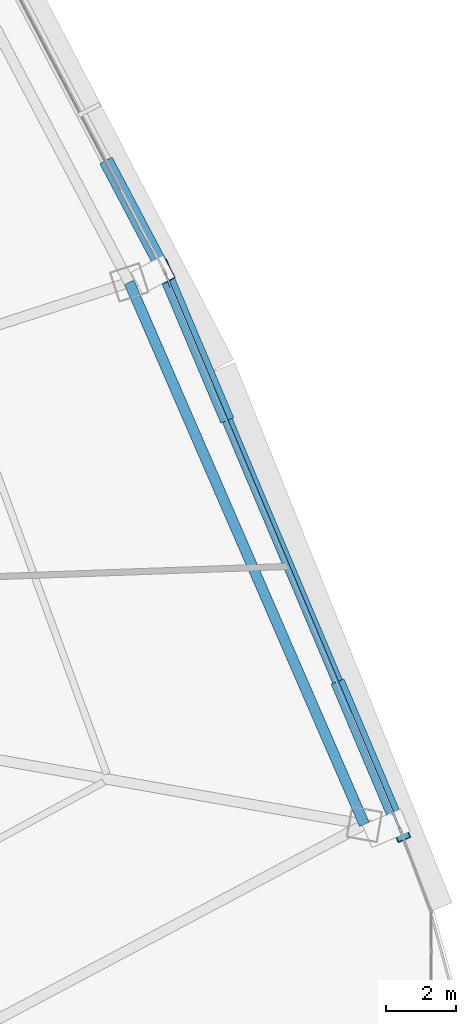
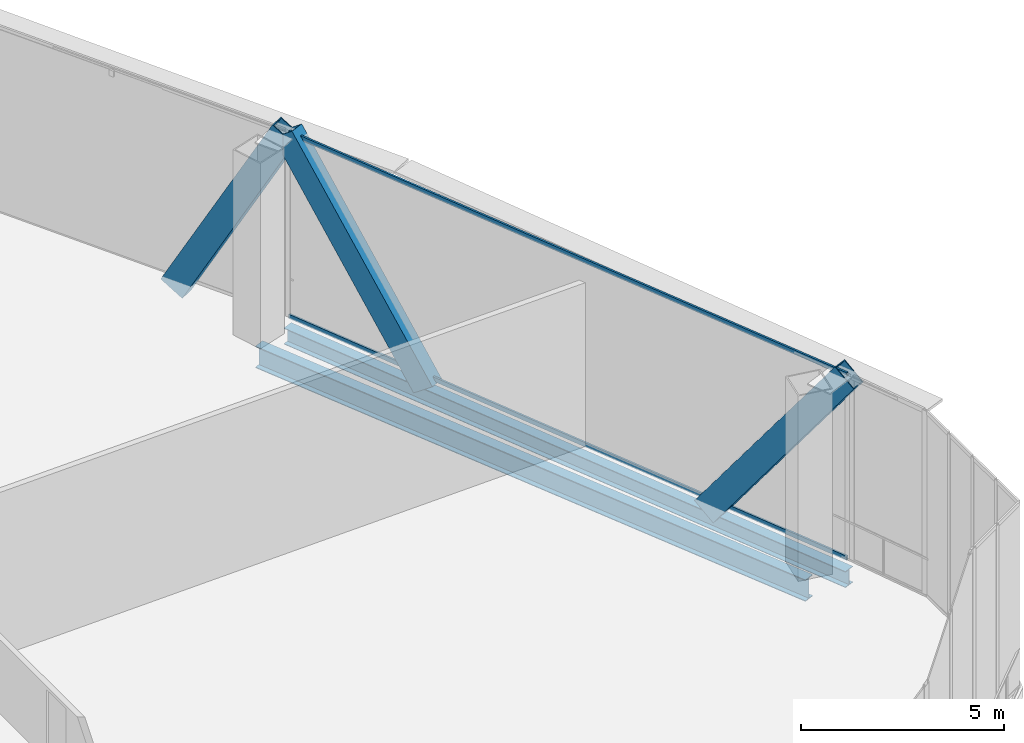
# One storey, part 24 of 38: 5 members, 2 beams, 1 element without a shape of its own.
"""IFC4 building model written with IfcOpenShell, lengths in metres."""

from ifc_helpers import new_model, si_unit, direction, frame, origin, origin_2d, place, context, subcontext, project, spatial, hollow_rectangle, i_section, extrude, source, transform, mapped, material, layer, layer_set, material_profile, profile_set, type_object, element, aggregate, save


model = new_model("IFC4")

# Units and contexts
model_context = context("Model", 3, precision=1e-05, world=origin(), true_north=direction((0.0, 1.0)))
body_context = subcontext(model_context, "Body", "Model", "MODEL_VIEW")
ifc_project = project(units=[si_unit("LENGTHUNIT", "METRE"), si_unit("AREAUNIT", "SQUARE_METRE"), si_unit("VOLUMEUNIT", "CUBIC_METRE"), si_unit("PLANEANGLEUNIT", "RADIAN"), si_unit("MASSUNIT", "GRAM", prefix="KILO"), si_unit("THERMODYNAMICTEMPERATUREUNIT", "KELVIN"), si_unit("POWERUNIT", "WATT")], contexts=[model_context])

# Site, building, storey
site_placement = place(None, origin())
site = spatial("IfcSite", under=ifc_project, at=site_placement, CompositionType="ELEMENT")
building_placement = place(site_placement, origin())
building = spatial("IfcBuilding", under=site, at=building_placement, Name="Yunzhuo Pagoda Commons", CompositionType="ELEMENT")
storey_placement = place(building_placement, frame((0.0, 0.0, 218.9599609375)))
storey = spatial("IfcBuildingStorey", under=building, at=storey_placement, Name="L55", CompositionType="ELEMENT", Elevation=218.9599609375)

# Beams
ifc_material_1 = material(Name="Structural steel Q355B", Category="steel")
ifc_material_profile_1 = material_profile(ifc_material_1, i_section(OverallWidth=0.300048828125, OverallDepth=0.64990234375, WebThickness=0.012939453125, FlangeThickness=0.02197265625, at=origin_2d()), Name="Structural steel Q355B")
ifc_profile_set_1 = profile_set([ifc_material_profile_1], Name="Structural steel Q355B")
beam_type_1 = type_object("IfcBeamType", Name="B-RG2 Beam HN 650x300x13x22", PredefinedType="BEAM", material=ifc_profile_set_1)
shared_shape_1 = source(origin(), body_context, "Body", "SweptSolid", [
    extrude(i_section(OverallWidth=0.300048828125, OverallDepth=0.64990234375, WebThickness=0.012939453125, FlangeThickness=0.02197265625, at=origin_2d()), origin(), (0.0, 0.0, 1.0), 16.859619140625),
])
beam_1_placement = place(storey_placement, frame((83.20654296875, 27.492431640625, -0.604736328125), z_axis=(-0.398104384161, 0.917340121935, 0.0), x_axis=(-0.917340121935, -0.398104384161, 0.0)))
element("IfcBeam", 1, at=beam_1_placement, inside=storey, type_object=beam_type_1, Name="L55 column-ring beam 5", PredefinedType="BEAM", context=body_context, shape_type="MappedRepresentation", body=[
    mapped(shared_shape_1, transform((0.0, 0.0, 0.0), scale=1.0)),
])
ifc_material_profile_2 = material_profile(ifc_material_1, i_section(OverallWidth=0.300048828125, OverallDepth=0.488037109375, WebThickness=0.010986328125, FlangeThickness=0.01806640625, at=origin_2d()), Name="Structural steel Q355B")
ifc_profile_set_2 = profile_set([ifc_material_profile_2], Name="Structural steel Q355B")
beam_type_2 = type_object("IfcBeamType", Name="B-SP1 Beam HM 488x300x11x18", PredefinedType="BEAM", material=ifc_profile_set_2)
shared_shape_2 = source(origin(), body_context, "Body", "SweptSolid", [
    extrude(i_section(OverallWidth=0.300048828125, OverallDepth=0.488037109375, WebThickness=0.010986328125, FlangeThickness=0.01806640625, at=origin_2d()), origin(), (0.0, 0.0, 1.0), 17.339599609375),
])
beam_2_placement = place(storey_placement, frame((84.24072265625, 27.31005859375, -0.52392578125), z_axis=(-0.389128705244, 0.921183396917, 0.0), x_axis=(-0.921183396917, -0.389128705244, 0.0)))
element("IfcBeam", 2, at=beam_2_placement, inside=storey, type_object=beam_type_2, Name="L55 facade edge spandrel beam F2.1", PredefinedType="BEAM", context=body_context, shape_type="MappedRepresentation", body=[
    mapped(shared_shape_2, transform((0.0, 0.0, 0.0), scale=1.0)),
])

# Members
ifc_material_profile_3 = material_profile(ifc_material_1, hollow_rectangle(XDim=0.39990234375, YDim=0.719970703125, WallThickness=0.02392578125, at=origin_2d()), Name="Structural steel Q355B")
ifc_profile_set_3 = profile_set([ifc_material_profile_3], Name="Structural steel Q355B")
member_type_1 = type_object("IfcMemberType", Name="M-DL2 Brace BOX 720x400x24", PredefinedType="BRACE", material=ifc_profile_set_3)
shared_shape_3 = source(origin(), body_context, "Body", "SweptSolid", [
    extrude(hollow_rectangle(XDim=0.39990234375, YDim=0.719970703125, WallThickness=0.02392578125, at=origin_2d()), origin(), (0.0, 0.0, 1.0), 7.28125),
])
member_1_placement = place(storey_placement, frame((82.5537109375, 31.30322265625, -0.280029296875), z_axis=(0.23169607358, -0.54842561208, 0.803458945748), x_axis=(0.921166122767, 0.389169595764, 0.0)))
element("IfcMember", 3, at=member_1_placement, inside=storey, type_object=member_type_1, Name="L55 facade diamond brace F2.1L", PredefinedType="BRACE", context=body_context, shape_type="MappedRepresentation", body=[
    mapped(shared_shape_3, transform((0.0, 0.0, 0.0), scale=1.0)),
])
shared_shape_4 = source(origin(), body_context, "Body", "SweptSolid", [
    extrude(hollow_rectangle(XDim=0.39990234375, YDim=0.719970703125, WallThickness=0.02392578125, at=origin_2d()), origin(), (0.0, 0.0, 1.0), 7.281005859375),
])
member_2_placement = place(storey_placement, frame((79.18017578125, 39.289794921875, -0.280029296875), z_axis=(-0.231664342687, 0.548429872483, 0.803465187358), x_axis=(-0.921186312034, -0.389121804221, 0.0)))
element("IfcMember", 4, at=member_2_placement, inside=storey, type_object=member_type_1, Name="L55 facade diamond brace F2.1R", PredefinedType="BRACE", context=body_context, shape_type="MappedRepresentation", body=[
    mapped(shared_shape_4, transform((0.0, 0.0, 0.0), scale=1.0)),
])
shared_shape_5 = source(origin(), body_context, "Body", "SweptSolid", [
    extrude(hollow_rectangle(XDim=0.39990234375, YDim=0.719970703125, WallThickness=0.02392578125, at=origin_2d()), origin(), (0.0, 0.0, 1.0), 6.69384765625),
])
member_3_placement = place(storey_placement, frame((75.977783203125, 46.16162109375, -0.280029296875), z_axis=(0.226420951249, -0.430046623096, 0.873952776069), x_axis=(0.884849842576, 0.46587633133, 0.0)))
element("IfcMember", 5, at=member_3_placement, inside=storey, type_object=member_type_1, Name="L55 facade diamond brace F2.2L", PredefinedType="BRACE", context=body_context, shape_type="MappedRepresentation", body=[
    mapped(shared_shape_5, transform((0.0, 0.0, 0.0), scale=1.0)),
])

# Curtain wall, members
ifc_material_2 = material(Name="Anodized aluminium 6063-T6", Category="aluminium")
ifc_layer = layer(ifc_material_2, 0.14990234375)
ifc_layer_set = layer_set([ifc_layer], Name="Anodized aluminium 6063-T6")
curtain_wall_type = type_object("IfcCurtainWallType", Name="CW-MID Mid-Zone Ribbon Curtain Wall", PredefinedType="NOTDEFINED", material=ifc_layer_set)
curtain_wall_placement = place(storey_placement, origin())
curtain_wall = element("IfcCurtainWall", 6, at=curtain_wall_placement, inside=storey, type_object=curtain_wall_type, Name="L55 curtain wall CW-L55-F2B2", PredefinedType="NOTDEFINED")
ifc_material_profile_4 = material_profile(ifc_material_2, hollow_rectangle(XDim=0.054931640625, YDim=0.1298828125, WallThickness=0.00341796875, at=origin_2d()), Name="Anodized aluminium 6063-T6")
ifc_profile_set_4 = profile_set([ifc_material_profile_4], Name="Anodized aluminium 6063-T6")
member_type_2 = type_object("IfcMemberType", Name="CW-MID-T Transom RHS 130x55x3.5", PredefinedType="USERDEFINED", material=ifc_profile_set_4)
shared_shape_6 = source(origin(), body_context, "Body", "SweptSolid", [
    extrude(hollow_rectangle(XDim=0.054931640625, YDim=0.1298828125, WallThickness=0.00341796875, at=origin_2d()), origin(), (0.0, 0.0, 1.0), 17.219970703125),
])
member_4_placement = place(storey_placement, frame((84.217041015625, 27.364990234375, 0.027587890625), z_axis=(-0.389110810266, 0.921190955956, 0.0), x_axis=(-0.921190955956, -0.389110810266, 0.0)))
member_4 = element("IfcMember", 7, at=member_4_placement, type_object=member_type_2, Name="CW transom 1.1", ObjectType="TRANSOM", PredefinedType="USERDEFINED", context=body_context, shape_type="MappedRepresentation", body=[
    mapped(shared_shape_6, transform((0.0, 0.0, 0.0), scale=1.0)),
])
member_5_placement = place(storey_placement, frame((84.217041015625, 27.364990234375, 5.54248046875), z_axis=(-0.389110810266, 0.921190955956, 0.0), x_axis=(-0.921190955956, -0.389110810266, 0.0)))
member_5 = element("IfcMember", 8, at=member_5_placement, type_object=member_type_2, Name="CW transom 1.2", ObjectType="TRANSOM", PredefinedType="USERDEFINED", context=body_context, shape_type="MappedRepresentation", body=[
    mapped(shared_shape_6, transform((0.0, 0.0, 0.0), scale=1.0)),
])
aggregate(curtain_wall, [member_4, member_5])

save(model, "model.ifc")
